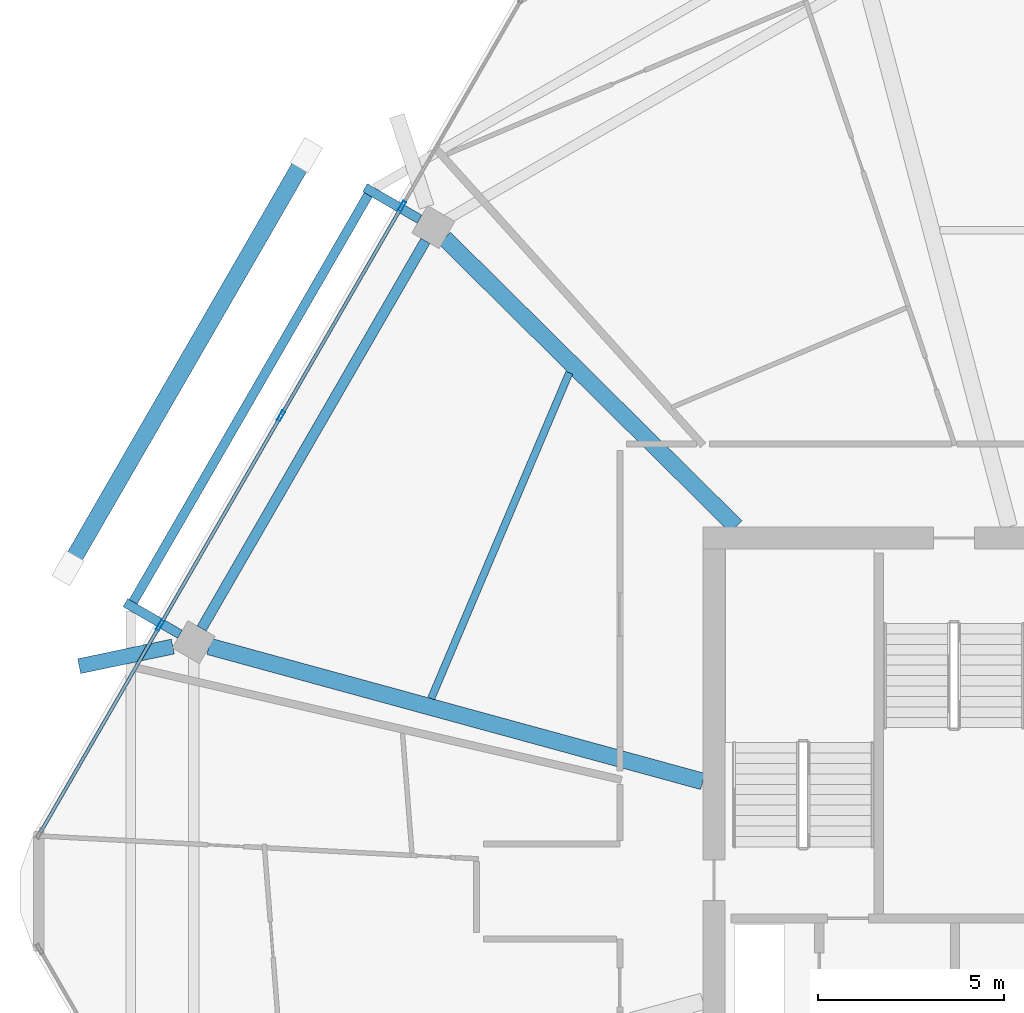
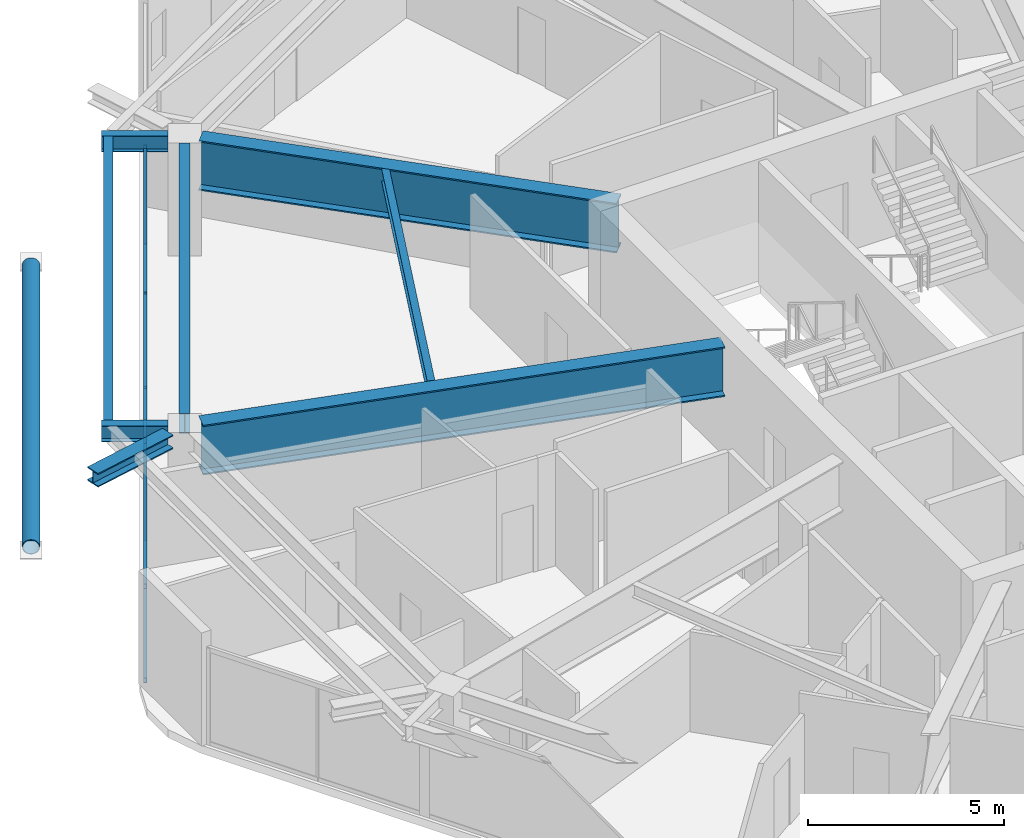
# One storey, part 12 of 26: 10 members, 8 beams, 1 element without a shape of its own.
"""IFC4 building model written with IfcOpenShell, lengths in metres."""

from ifc_helpers import new_model, si_unit, direction, frame, origin, origin_2d, place, context, subcontext, project, spatial, hollow_rectangle, hollow_circle, i_section, extrude, material, material_profile, profile_set, type_object, element, aggregate, save


model = new_model("IFC4")

# Units and contexts
model_context = context("Model", 3, precision=1e-05, world=origin(), true_north=direction((0.0, 1.0)))
body_context = subcontext(model_context, "Body", "Model", "MODEL_VIEW")
ifc_project = project(units=[si_unit("LENGTHUNIT", "METRE"), si_unit("AREAUNIT", "SQUARE_METRE"), si_unit("VOLUMEUNIT", "CUBIC_METRE"), si_unit("PLANEANGLEUNIT", "RADIAN"), si_unit("MASSUNIT", "GRAM", prefix="KILO")], contexts=[model_context])

# Site, building, storey
site_placement = place(None, origin())
site = spatial("IfcSite", under=ifc_project, at=site_placement, CompositionType="ELEMENT")
building_placement = place(site_placement, origin())
building = spatial("IfcBuilding", under=site, at=building_placement, Name="Zuhravey Tower", CompositionType="ELEMENT")
storey_placement = place(building_placement, frame((0.0, 0.0, 299.60009765625)))
storey = spatial("IfcBuildingStorey", under=building, at=storey_placement, Name="L76", CompositionType="ELEMENT", Elevation=299.60009765625)

# Curtain wall, members
ifc_material_1 = material(Name="Thermally broken anodised aluminium", Category="aluminium")
curtain_wall_type = type_object("IfcCurtainWallType", Name="Zone 3-4 High-Rise Curtain Wall CW4", PredefinedType="NOTDEFINED", material=ifc_material_1)
curtain_wall_placement = place(storey_placement, origin())
curtain_wall = element("IfcCurtainWall", 1, at=curtain_wall_placement, inside=storey, type_object=curtain_wall_type, Name="L76 CW4 CW-L76-F3-1", PredefinedType="NOTDEFINED")
ifc_material_2 = material(Name="Anodised aluminium", Category="aluminium")
ifc_material_profile_1 = material_profile(ifc_material_2, hollow_rectangle(XDim=0.090087890625, YDim=0.284912109375, WallThickness=0.0048828125, at=origin_2d()), Name="ALU-RHS-90x285x5")
ifc_profile_set_1 = profile_set([ifc_material_profile_1], Name="Anodised aluminium")
member_type_1 = type_object("IfcMemberType", Name="Curtain-Wall Mullion 90x180", PredefinedType="MULLION", material=ifc_profile_set_1)
member_1_placement = place(storey_placement, frame((10.608154296875, 39.147216796875, 0.0), z_axis=(0.0, 0.0, 1.0), x_axis=(-0.866024851021, 0.500000957414, 0.0)))
member_1 = element("IfcMember", 2, at=member_1_placement, type_object=member_type_1, Name="CW4 mullion 2", PredefinedType="MULLION", context=body_context, shape_type="SweptSolid", body=[
    extrude(hollow_rectangle(XDim=0.090087890625, YDim=0.284912109375, WallThickness=0.0048828125, at=origin_2d()), origin(), (0.0, 0.0, 1.0), 3.02001953125),
])
member_2_placement = place(storey_placement, frame((13.861328125, 44.78173828125, 0.0), z_axis=(0.0, 0.0, 1.0), x_axis=(-0.866024851021, 0.500000957414, 0.0)))
member_2 = element("IfcMember", 3, at=member_2_placement, type_object=member_type_1, Name="CW4 mullion 3", PredefinedType="MULLION", context=body_context, shape_type="SweptSolid", body=[
    extrude(hollow_rectangle(XDim=0.090087890625, YDim=0.284912109375, WallThickness=0.0048828125, at=origin_2d()), origin(), (0.0, 0.0, 1.0), 3.02001953125),
])
member_3_placement = place(storey_placement, frame((17.114501953125, 50.41650390625, 0.0), z_axis=(0.0, 0.0, 1.0), x_axis=(-0.866024851021, 0.500000957414, 0.0)))
member_3 = element("IfcMember", 4, at=member_3_placement, type_object=member_type_1, Name="CW4 mullion 4", PredefinedType="MULLION", context=body_context, shape_type="SweptSolid", body=[
    extrude(hollow_rectangle(XDim=0.090087890625, YDim=0.284912109375, WallThickness=0.0048828125, at=origin_2d()), origin(), (0.0, 0.0, 1.0), 3.02001953125),
])
ifc_material_profile_2 = material_profile(ifc_material_2, hollow_rectangle(XDim=0.090087890625, YDim=0.14990234375, WallThickness=0.0048828125, at=origin_2d()), Name="ALU-RHS-90x150x5")
ifc_profile_set_2 = profile_set([ifc_material_profile_2], Name="Anodised aluminium")
member_type_2 = type_object("IfcMemberType", Name="Curtain-Wall Transom 90x150", PredefinedType="USERDEFINED", material=ifc_profile_set_2)
member_4_placement = place(storey_placement, frame((7.39990234375, 33.59033203125, 0.044921875), z_axis=(0.500008810174, 0.866020317169, 0.0), x_axis=(-0.866020317169, 0.500008810174, 0.0)))
member_4 = element("IfcMember", 5, at=member_4_placement, type_object=member_type_2, Name="CW4 transom 1.1", ObjectType="TRANSOM", PredefinedType="USERDEFINED", context=body_context, shape_type="SweptSolid", body=[
    extrude(hollow_rectangle(XDim=0.090087890625, YDim=0.14990234375, WallThickness=0.0048828125, at=origin_2d()), origin(), (0.0, 0.0, 1.0), 6.37158203125),
])
member_5_placement = place(storey_placement, frame((7.39990234375, 33.59033203125, 2.974853515625), z_axis=(0.500008810174, 0.866020317169, 0.0), x_axis=(-0.866020317169, 0.500008810174, 0.0)))
member_5 = element("IfcMember", 6, at=member_5_placement, type_object=member_type_2, Name="CW4 transom 1.2", ObjectType="TRANSOM", PredefinedType="USERDEFINED", context=body_context, shape_type="SweptSolid", body=[
    extrude(hollow_rectangle(XDim=0.090087890625, YDim=0.14990234375, WallThickness=0.0048828125, at=origin_2d()), origin(), (0.0, 0.0, 1.0), 6.37158203125),
])
member_6_placement = place(storey_placement, frame((10.630615234375, 39.18603515625, 0.044921875), z_axis=(0.499998017366, 0.866026548456, 0.0), x_axis=(-0.866026548456, 0.499998017366, 0.0)))
member_6 = element("IfcMember", 7, at=member_6_placement, type_object=member_type_2, Name="CW4 transom 2.1", ObjectType="TRANSOM", PredefinedType="USERDEFINED", context=body_context, shape_type="SweptSolid", body=[
    extrude(hollow_rectangle(XDim=0.090087890625, YDim=0.14990234375, WallThickness=0.0048828125, at=origin_2d()), origin(), (0.0, 0.0, 1.0), 6.41650390625),
])
member_7_placement = place(storey_placement, frame((10.630615234375, 39.18603515625, 2.974853515625), z_axis=(0.499998017366, 0.866026548456, 0.0), x_axis=(-0.866026548456, 0.499998017366, 0.0)))
member_7 = element("IfcMember", 8, at=member_7_placement, type_object=member_type_2, Name="CW4 transom 2.2", ObjectType="TRANSOM", PredefinedType="USERDEFINED", context=body_context, shape_type="SweptSolid", body=[
    extrude(hollow_rectangle(XDim=0.090087890625, YDim=0.14990234375, WallThickness=0.0048828125, at=origin_2d()), origin(), (0.0, 0.0, 1.0), 6.41650390625),
])
member_8_placement = place(storey_placement, frame((13.8837890625, 44.82080078125, 0.044921875), z_axis=(0.500014493347, 0.866017035885, 0.0), x_axis=(-0.866017035885, 0.500014493347, 0.0)))
member_8 = element("IfcMember", 9, at=member_8_placement, type_object=member_type_2, Name="CW4 transom 3.1", ObjectType="TRANSOM", PredefinedType="USERDEFINED", context=body_context, shape_type="SweptSolid", body=[
    extrude(hollow_rectangle(XDim=0.090087890625, YDim=0.14990234375, WallThickness=0.0048828125, at=origin_2d()), origin(), (0.0, 0.0, 1.0), 6.416259765625),
])
member_9_placement = place(storey_placement, frame((13.8837890625, 44.82080078125, 2.974853515625), z_axis=(0.500014493347, 0.866017035885, 0.0), x_axis=(-0.866017035885, 0.500014493347, 0.0)))
member_9 = element("IfcMember", 10, at=member_9_placement, type_object=member_type_2, Name="CW4 transom 3.2", ObjectType="TRANSOM", PredefinedType="USERDEFINED", context=body_context, shape_type="SweptSolid", body=[
    extrude(hollow_rectangle(XDim=0.090087890625, YDim=0.14990234375, WallThickness=0.0048828125, at=origin_2d()), origin(), (0.0, 0.0, 1.0), 6.416259765625),
])
aggregate(curtain_wall, [member_1, member_2, member_3, member_4, member_5, member_6, member_7, member_8, member_9])

# Beam
ifc_material_3 = material(Name="Steel SM460", Category="steel")
ifc_material_profile_3 = material_profile(ifc_material_3, i_section(OverallWidth=0.406982421875, OverallDepth=0.427978515625, WebThickness=0.02001953125, FlangeThickness=0.034912109375, at=origin_2d()), Name="H-428x407x20x35")
ifc_profile_set_3 = profile_set([ifc_material_profile_3], Name="Steel SM460")
beam_type_1 = type_object("IfcBeamType", Name="Exoskeleton Node Tie Beam H428x407", PredefinedType="BEAM", material=ifc_profile_set_3)
beam_1_placement = place(storey_placement, frame((10.953369140625, 38.5810546875, 3.305908203125), z_axis=(-0.978735702866, -0.205125385888, 0.0), x_axis=(0.205125385888, -0.978735702866, 0.0)))
element("IfcBeam", 11, at=beam_1_placement, inside=storey, type_object=beam_type_1, Name="L76 Exoskeleton Node Tie NT1-06", PredefinedType="BEAM", context=body_context, shape_type="SweptSolid", body=[
    extrude(i_section(OverallWidth=0.406982421875, OverallDepth=0.427978515625, WebThickness=0.02001953125, FlangeThickness=0.034912109375, at=origin_2d()), origin(), (0.0, 0.0, 1.0), 2.572021484375),
])

# Member
ifc_material_4 = material(Name="Steel SM355", Category="steel")
ifc_material_profile_4 = material_profile(ifc_material_4, hollow_circle(Radius=0.228515625, WallThickness=0.02197265625, at=origin_2d()), Name="CHS-457.2x22")
ifc_profile_set_4 = profile_set([ifc_material_profile_4], Name="Steel SM355")
member_type_3 = type_object("IfcMemberType", Name="Exoskeleton Ring Tie CHS457x22", PredefinedType="CHORD", material=ifc_profile_set_4)
member_10_placement = place(storey_placement, frame((14.47509765625, 51.664794921875, -0.464111328125), z_axis=(-0.50000793057, -0.866020825019, 0.0), x_axis=(0.866020825019, -0.50000793057, 0.0)))
element("IfcMember", 12, at=member_10_placement, inside=storey, type_object=member_type_3, Name="L76 Exoskeleton Face 3 Tie EXR1", PredefinedType="CHORD", context=body_context, shape_type="SweptSolid", body=[
    extrude(hollow_circle(Radius=0.228515625, WallThickness=0.02197265625, at=origin_2d()), origin(), (0.0, 0.0, 1.0), 12.535400390625),
])

# Beams
ifc_material_profile_5 = material_profile(ifc_material_3, i_section(OverallWidth=0.449951171875, OverallDepth=1.550048828125, WebThickness=0.02587890625, FlangeThickness=0.0419921875, at=origin_2d()), Name="H-1550x450x26x42")
ifc_profile_set_5 = profile_set([ifc_material_profile_5], Name="Steel SM460")
beam_type_2 = type_object("IfcBeamType", Name="Heavy Setback Transfer Girder H1550x450", PredefinedType="BEAM", material=ifc_profile_set_5)
beam_2_placement = place(storey_placement, frame((26.09326171875, 41.802978515625, 2.744873046875), z_axis=(-0.710808169267, 0.70338591577, 0.0), x_axis=(-0.70338591577, -0.710808169267, 0.0)))
element("IfcBeam", 13, at=beam_2_placement, inside=storey, type_object=beam_type_2, Name="L76 TG3 BM-L76-RAD-05", PredefinedType="BEAM", context=body_context, shape_type="SweptSolid", body=[
    extrude(i_section(OverallWidth=0.449951171875, OverallDepth=1.550048828125, WebThickness=0.02587890625, FlangeThickness=0.0419921875, at=origin_2d()), origin(), (0.0, 0.0, 1.0), 11.019287109375),
])
beam_3_placement = place(storey_placement, frame((25.197021484375, 34.95556640625, 2.744873046875), z_axis=(-0.964549305009, 0.263902705947, 0.0), x_axis=(-0.263902705947, -0.964549305009, 0.0)))
element("IfcBeam", 14, at=beam_3_placement, inside=storey, type_object=beam_type_2, Name="L76 TG3 BM-L76-RAD-06", PredefinedType="BEAM", context=body_context, shape_type="SweptSolid", body=[
    extrude(i_section(OverallWidth=0.449951171875, OverallDepth=1.550048828125, WebThickness=0.02587890625, FlangeThickness=0.0419921875, at=origin_2d()), origin(), (0.0, 0.0, 1.0), 13.756591796875),
])
ifc_material_profile_6 = material_profile(ifc_material_4, i_section(OverallWidth=0.280029296875, OverallDepth=0.6201171875, WebThickness=0.011962890625, FlangeThickness=0.02001953125, at=origin_2d()), Name="H-620x280x12x20")
ifc_profile_set_6 = profile_set([ifc_material_profile_6], Name="Steel SM355")
beam_type_3 = type_object("IfcBeamType", Name="Perimeter Ring Beam H620x280", PredefinedType="BEAM", material=ifc_profile_set_6)
beam_4_placement = place(storey_placement, frame((17.742431640625, 49.484130859375, 3.2099609375), z_axis=(-0.500005971936, -0.866021955858, 0.0), x_axis=(0.866021955858, -0.500005971936, 0.0)))
element("IfcBeam", 15, at=beam_4_placement, inside=storey, type_object=beam_type_3, Name="L76 PB3 BM-L76-PB-05", PredefinedType="BEAM", context=body_context, shape_type="SweptSolid", body=[
    extrude(i_section(OverallWidth=0.280029296875, OverallDepth=0.6201171875, WebThickness=0.011962890625, FlangeThickness=0.02001953125, at=origin_2d()), origin(), (0.0, 0.0, 1.0), 12.025634765625),
])
ifc_material_profile_7 = material_profile(ifc_material_4, i_section(OverallWidth=0.199951171875, OverallDepth=0.39990234375, WebThickness=0.008056640625, FlangeThickness=0.012939453125, at=origin_2d()), Name="H-400x200x8x13")
ifc_profile_set_7 = profile_set([ifc_material_profile_7], Name="Steel SM355")
beam_type_4 = type_object("IfcBeamType", Name="Secondary Floor Joist H400x200", PredefinedType="JOIST", material=ifc_profile_set_7)
beam_5_placement = place(storey_placement, frame((21.60986328125, 45.940185546875, 3.31982421875), z_axis=(-0.39039551833, -0.92064723932, 0.0), x_axis=(0.92064723932, -0.39039551833, 0.0)))
element("IfcBeam", 16, at=beam_5_placement, inside=storey, type_object=beam_type_4, Name="L76 SJ2 BM-L76-SJ-05-1", PredefinedType="JOIST", context=body_context, shape_type="SweptSolid", body=[
    extrude(i_section(OverallWidth=0.199951171875, OverallDepth=0.39990234375, WebThickness=0.008056640625, FlangeThickness=0.012939453125, at=origin_2d()), origin(), (0.0, 0.0, 1.0), 9.5068359375),
])
ifc_material_profile_8 = material_profile(ifc_material_4, i_section(OverallWidth=0.25, OverallDepth=0.5, WebThickness=0.010009765625, FlangeThickness=0.01611328125, at=origin_2d()), Name="H-500x250x10x16")
ifc_profile_set_8 = profile_set([ifc_material_profile_8], Name="Steel SM355")
beam_type_5 = type_object("IfcBeamType", Name="Tray Cantilever Spandrel H500x250", PredefinedType="SPANDREL", material=ifc_profile_set_8)
for number, where, z_axis, x_axis, name in (
    (17, (17.5849609375, 50.069091796875, 3.27001953125), (-0.865995664872, 0.50005150577, 0.0), (-0.50005150577, -0.865995664872, 0.0), "L76 Sky-Tray Cantilever Arm TSB1-R05"),
    (18, (11.14404296875, 38.913330078125, 3.27001953125), (-0.86605817518, 0.499943233981, 0.0), (-0.499943233981, -0.86605817518, 0.0), "L76 Sky-Tray Cantilever Arm TSB1-R06"),
):
    element("IfcBeam", number, at=place(storey_placement, frame(where, z_axis=z_axis, x_axis=x_axis)), inside=storey, type_object=beam_type_5, Name=name, PredefinedType="SPANDREL", context=body_context, shape_type="SweptSolid", body=[
        extrude(i_section(OverallWidth=0.25, OverallDepth=0.5, WebThickness=0.010009765625, FlangeThickness=0.01611328125, at=origin_2d()), origin(), (0.0, 0.0, 1.0), 1.691162109375),
    ])
beam_6_placement = place(storey_placement, frame((16.206298828125, 50.72314453125, 3.27001953125), z_axis=(-0.500022947832, -0.866012154442, 0.0), x_axis=(0.866012154442, -0.500022947832, 0.0)))
element("IfcBeam", 19, at=beam_6_placement, inside=storey, type_object=beam_type_5, Name="L76 Sky-Tray Edge Spandrel TSB1-05", PredefinedType="SPANDREL", context=body_context, shape_type="SweptSolid", body=[
    extrude(i_section(OverallWidth=0.25, OverallDepth=0.5, WebThickness=0.010009765625, FlangeThickness=0.01611328125, at=origin_2d()), origin(), (0.0, 0.0, 1.0), 12.6357421875),
])

save(model, "model.ifc")
